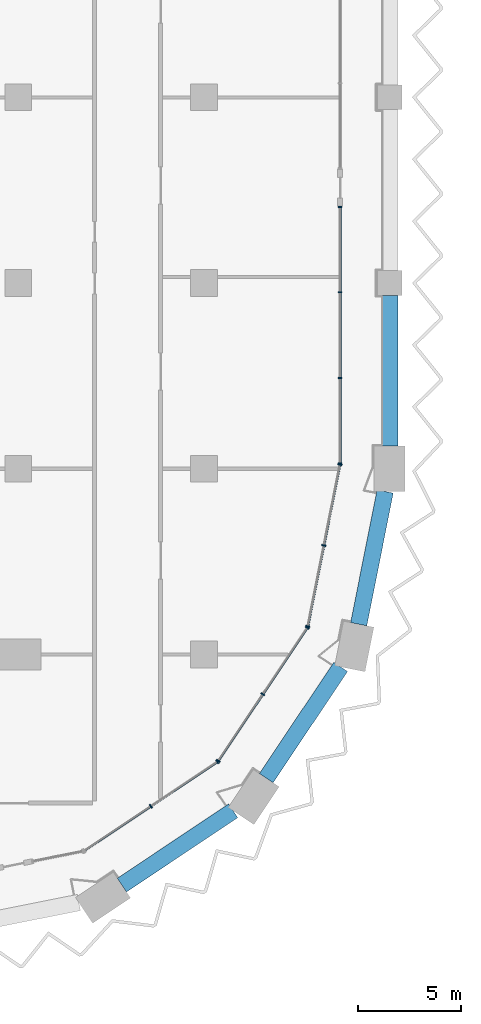
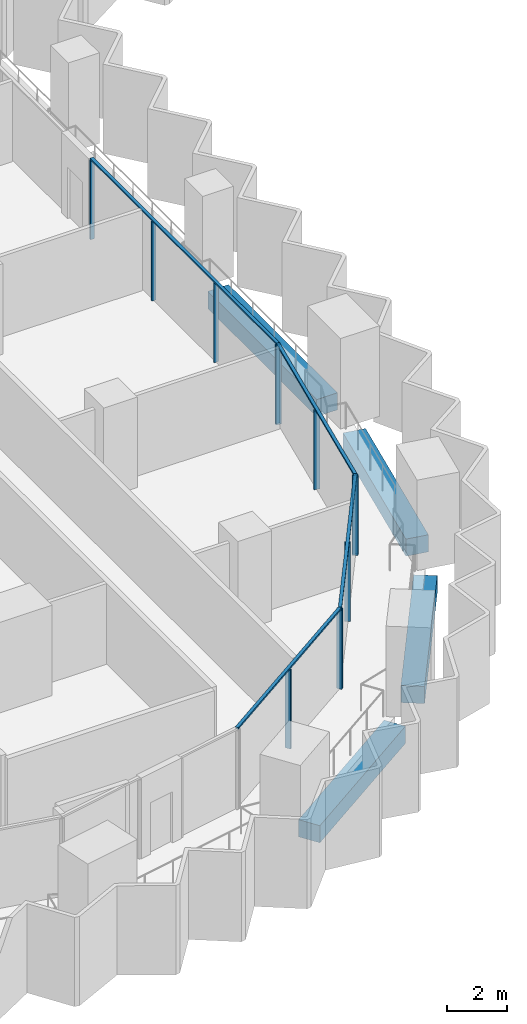
# One storey, part 3 of 22: 16 members, 4 beams, 4 elements without a shape of their own.
"""IFC4 building model written with IfcOpenShell, lengths in metres."""

import ifcopenshell
import ifcopenshell.guid

model = None  # the IFC model being written
_history = None  # IfcOwnerHistory: only IFC2X3 demands one
_inside = {}  # id of a spatial element -> (the spatial element, [elements in it])
_under = {}  # id of a project, library or spatial element -> (it, [spatial elements below it])
_declared = {}  # id of a project -> (the project, [libraries it declares])
_typed = {}  # id of a type object -> (the type object, [elements of that type])
_made_of = {}  # id of a material, layer set ... -> (it, [elements and type objects made of it])


def new_model(schema):
    """Start an empty IFC model of exactly this schema.

    Asked for "IFC4X3", IfcOpenShell would pick the latest addendum, in which some entities
    have other attributes; the version numbers below select the first issue.
    IFC2X3 requires an IfcOwnerHistory on every rooted entity: one is made here for all.
    """
    global model, _history
    if schema == "IFC4X3":
        model = ifcopenshell.file(schema_version=(4, 3, 0, 0))
    else:
        model = ifcopenshell.file(schema=schema)
    _inside.clear()
    _under.clear()
    _declared.clear()
    _typed.clear()
    _made_of.clear()
    _history = None
    if model.schema == "IFC2X3":
        org = make("IfcOrganization", Name="unknown")
        user = make(
            "IfcPersonAndOrganization",
            ThePerson=make("IfcPerson", FamilyName="unknown"),
            TheOrganization=org,
        )
        app = make(
            "IfcApplication",
            ApplicationDeveloper=org,
            Version="unknown",
            ApplicationFullName="unknown",
            ApplicationIdentifier="unknown",
        )
        _history = make(
            "IfcOwnerHistory",
            OwningUser=user,
            OwningApplication=app,
            ChangeAction="ADDED",
            CreationDate=0,
        )
    return model


def make(cls, **values):
    """One entity of the class cls with the attributes given. An attribute that is None is left unset."""
    return model.create_entity(
        cls, **{name: value for name, value in values.items() if value is not None}
    )


def rooted(cls, **values):
    """An entity with a GlobalId (a new one), such as an element, a storey or a relation."""
    return make(cls, GlobalId=ifcopenshell.guid.new(), OwnerHistory=_history, **values)


def si_unit(unit_type, name, prefix=None):
    """IfcSIUnit, for example si_unit("LENGTHUNIT", "METRE", prefix="MILLI")."""
    return make("IfcSIUnit", UnitType=unit_type, Prefix=prefix, Name=name)


def assignment(units):
    """IfcUnitAssignment: the units of a project."""
    return None if units is None else make("IfcUnitAssignment", Units=units)


def point(xyz):
    """IfcCartesianPoint."""
    return None if xyz is None else make("IfcCartesianPoint", Coordinates=xyz)


def direction(xyz):
    """IfcDirection."""
    return None if xyz is None else make("IfcDirection", DirectionRatios=xyz)


def frame(location, z_axis=None, x_axis=None):
    """IfcAxis2Placement3D, a coordinate frame: its origin and axes. An axis left out is left unset."""
    return make(
        "IfcAxis2Placement3D",
        Location=point(location),
        Axis=direction(z_axis),
        RefDirection=direction(x_axis),
    )


def frame_2d(location, x_axis=None):
    """IfcAxis2Placement2D, a coordinate frame in the plane: its origin and x axis."""
    return make(
        "IfcAxis2Placement2D", Location=point(location), RefDirection=direction(x_axis)
    )


def origin():
    """The frame at (0, 0, 0) with its axes left unset."""
    return frame((0.0, 0.0, 0.0))


def origin_2d():
    """The frame at (0, 0) in the plane with its x axis left unset."""
    return frame_2d((0.0, 0.0))


def place(relative_to, where):
    """IfcLocalPlacement: puts the frame where relative to a parent placement (None: the world)."""
    return make(
        "IfcLocalPlacement", PlacementRelTo=relative_to, RelativePlacement=where
    )


def context(
    kind, dimensions, precision=None, world=None, true_north=None, identifier=None
):
    """IfcGeometricRepresentationContext, for example the 3D "Model" context."""
    return make(
        "IfcGeometricRepresentationContext",
        ContextIdentifier=identifier,
        ContextType=kind,
        CoordinateSpaceDimension=dimensions,
        Precision=precision,
        WorldCoordinateSystem=world,
        TrueNorth=true_north,
    )


def subcontext(parent, identifier, kind, view, scale=None):
    """IfcGeometricRepresentationSubContext, for example "Body" below "Model"."""
    return make(
        "IfcGeometricRepresentationSubContext",
        ContextIdentifier=identifier,
        ContextType=kind,
        ParentContext=parent,
        TargetScale=scale,
        TargetView=view,
    )


def project(units=None, contexts=None):
    """IfcProject with its units and contexts."""
    return rooted(
        "IfcProject",
        Name="project",
        RepresentationContexts=contexts,
        UnitsInContext=assignment(units),
    )


def spatial(cls, under=None, at=None, **own):
    """A site, building, storey or space (cls), placed at a placement, below another one or the project."""
    s = rooted(cls, ObjectPlacement=at, **own)
    if under is not None:
        _under.setdefault(under.id(), (under, []))[1].append(s)
    return s


def profile(cls, at=None, kind="AREA", **sizes):
    """A parametric profile (cls). Its sizes go by their IFC names, for example OverallWidth=200.0."""
    return make(cls, ProfileType=kind, Position=at, **sizes)


def rectangle(**sizes):
    """IfcRectangleProfileDef."""
    return profile("IfcRectangleProfileDef", **sizes)


def extrude(swept, where, along, depth):
    """IfcExtrudedAreaSolid: the profile swept, set in the frame where, extruded along a direction by depth."""
    return make(
        "IfcExtrudedAreaSolid",
        SweptArea=swept,
        Position=where,
        ExtrudedDirection=direction(along),
        Depth=depth,
    )


def shape(context_of_items, identifier, shape_type, items):
    """IfcShapeRepresentation: the items that make up one representation, for example the "Body"."""
    return make(
        "IfcShapeRepresentation",
        ContextOfItems=context_of_items,
        RepresentationIdentifier=identifier,
        RepresentationType=shape_type,
        Items=items,
    )


def material(Name=None, Category=None):
    """IfcMaterial."""
    return make("IfcMaterial", Name=Name, Category=Category)


def material_profile(
    of_material, cross_section, Name=None, Category=None, Priority=None
):
    """IfcMaterialProfile: a cross section and its material."""
    return make(
        "IfcMaterialProfile",
        Name=Name,
        Material=of_material,
        Profile=cross_section,
        Priority=Priority,
        Category=Category,
    )


def profile_set(profiles, Name=None, composite=None):
    """IfcMaterialProfileSet."""
    return make(
        "IfcMaterialProfileSet",
        Name=Name,
        MaterialProfiles=profiles,
        CompositeProfile=composite,
    )


def made_of(thing, what):
    """Note that an element or type object is made of a material, layer set ...; save() writes the relation."""
    if what is not None:
        _made_of.setdefault(what.id(), (what, []))[1].append(thing)
    return thing


def type_object(cls, material=None, **own):
    """A type object (cls), such as IfcWallType, which elements share."""
    return made_of(rooted(cls, **own), material)


def element(
    cls,
    number,
    at=None,
    inside=None,
    cuts=None,
    type_object=None,
    material=None,
    context=None,
    identifier="Body",
    shape_type=None,
    held_by="IfcProductDefinitionShape",
    body=None,
    shapes=None,
    **own,
):
    """One element of the class cls, such as IfcWall. Its Tag is "e" and its number.

    at: its placement. inside: the storey or other place that contains it. cuts: it is an
    opening in that element (IfcRelVoidsElement). A single representation is given by context,
    identifier, shape_type and body (its items); several are given by shapes. held_by: the class
    of the entity that holds the representations. save() writes the other relations.
    """
    e = rooted(cls, Tag="e%d" % number, ObjectPlacement=at, **own)
    if body is not None:
        shapes = [shape(context, identifier, shape_type, body)]
    if shapes is not None:
        e.Representation = make(held_by, Representations=shapes)
    if inside is not None:
        _inside.setdefault(inside.id(), (inside, []))[1].append(e)
    if cuts is not None:
        rooted(
            "IfcRelVoidsElement", RelatingBuildingElement=cuts, RelatedOpeningElement=e
        )
    if type_object is not None:
        _typed.setdefault(type_object.id(), (type_object, []))[1].append(e)
    return made_of(e, material)


def aggregate(whole, parts):
    """IfcRelAggregates: a whole, such as a stair, and the parts it consists of."""
    return rooted("IfcRelAggregates", RelatingObject=whole, RelatedObjects=parts)


def save(model, path):
    """Write the relations noted so far, then the file.

    IfcRelAggregates (storeys below a building ...), IfcRelContainedInSpatialStructure (elements
    in a storey), IfcRelDefinesByType, IfcRelAssociatesMaterial and IfcRelDeclares: one each for
    every whole, place, type object, material and project.
    """
    for whole, parts in _under.values():
        aggregate(whole, parts)
    for where, things in _inside.values():
        rooted(
            "IfcRelContainedInSpatialStructure",
            RelatedElements=things,
            RelatingStructure=where,
        )
    for kind, things in _typed.values():
        rooted("IfcRelDefinesByType", RelatedObjects=things, RelatingType=kind)
    for what, things in _made_of.values():
        rooted("IfcRelAssociatesMaterial", RelatedObjects=things, RelatingMaterial=what)
    for by, libraries in _declared.values():
        rooted("IfcRelDeclares", RelatingContext=by, RelatedDefinitions=libraries)
    model.write(path)


model = new_model("IFC4")

# Units and contexts
model_context = context("Model", 3, precision=1e-05, world=origin(), true_north=direction((0.0, 1.0)))
body_context = subcontext(model_context, "Body", "Model", "MODEL_VIEW")
ifc_project = project(units=[si_unit("LENGTHUNIT", "METRE"), si_unit("AREAUNIT", "SQUARE_METRE"), si_unit("VOLUMEUNIT", "CUBIC_METRE"), si_unit("PLANEANGLEUNIT", "RADIAN"), si_unit("MASSUNIT", "GRAM", prefix="KILO")], contexts=[model_context])

# Site, building, storey
site_placement = place(None, origin())
site = spatial("IfcSite", under=ifc_project, at=site_placement, CompositionType="ELEMENT")
building_placement = place(site_placement, origin())
building = spatial("IfcBuilding", under=site, at=building_placement, Name="Hunhe Ridgeline Campus", CompositionType="ELEMENT")
storey_placement = place(building_placement, frame((0.0, 0.0, 88.5)))
storey = spatial("IfcBuildingStorey", under=building, at=storey_placement, Name="L21", CompositionType="ELEMENT", Elevation=88.5)

# Curtain wall, members
ifc_material_1 = material(Name="Aluminium 6063", Category="aluminium")
curtain_wall_type_1 = type_object("IfcCurtainWallType", Name="Curtain wall CW-1", PredefinedType="NOTDEFINED", material=ifc_material_1)
curtain_wall_1_placement = place(storey_placement, origin())
curtain_wall_1 = element("IfcCurtainWall", 1, at=curtain_wall_1_placement, inside=storey, type_object=curtain_wall_type_1, Name="Curtain wall 11", PredefinedType="NOTDEFINED")
ifc_material_profile_1 = material_profile(ifc_material_1, rectangle(XDim=0.159912109375, YDim=0.06005859375, at=origin_2d()))
ifc_profile_set_1 = profile_set([ifc_material_profile_1], Name="Aluminium 6063")
member_type_1 = type_object("IfcMemberType", Name="CW-1 aluminium mullion", PredefinedType="MULLION", material=ifc_profile_set_1)
member_1_placement = place(storey_placement, frame((42.59912109375, 27.266357421875, 0.0), z_axis=(0.0, 0.0, 1.0), x_axis=(-0.99999999994, 1.0975712e-05, 0.0)))
member_1 = element("IfcMember", 2, at=member_1_placement, type_object=member_type_1, Name="CW-1 mullion 1", PredefinedType="MULLION", context=body_context, shape_type="SweptSolid", body=[
    extrude(rectangle(XDim=0.159912109375, YDim=0.06005859375, at=origin_2d()), origin(), (0.0, 0.0, 1.0), 3.239990234375),
])
member_2_placement = place(storey_placement, frame((42.59912109375, 31.397216796875, 0.0), z_axis=(0.0, 0.0, 1.0), x_axis=(-0.99999999994, 1.0975712e-05, 0.0)))
member_2 = element("IfcMember", 3, at=member_2_placement, type_object=member_type_1, Name="CW-1 mullion 2", PredefinedType="MULLION", context=body_context, shape_type="SweptSolid", body=[
    extrude(rectangle(XDim=0.159912109375, YDim=0.06005859375, at=origin_2d()), origin(), (0.0, 0.0, 1.0), 3.239990234375),
])
member_3_placement = place(storey_placement, frame((42.59912109375, 35.557861328125, 0.0), z_axis=(0.0, 0.0, 1.0), x_axis=(-0.99999999994, 1.0975712e-05, 0.0)))
member_3 = element("IfcMember", 4, at=member_3_placement, type_object=member_type_1, Name="CW-1 mullion 3", PredefinedType="MULLION", context=body_context, shape_type="SweptSolid", body=[
    extrude(rectangle(XDim=0.159912109375, YDim=0.06005859375, at=origin_2d()), origin(), (0.0, 0.0, 1.0), 3.239990234375),
])
member_4_placement = place(storey_placement, frame((42.59912109375, 39.6884765625, 0.0), z_axis=(0.0, 0.0, 1.0), x_axis=(-0.99999999994, 1.0975712e-05, 0.0)))
member_4 = element("IfcMember", 5, at=member_4_placement, type_object=member_type_1, Name="CW-1 mullion 4", PredefinedType="MULLION", context=body_context, shape_type="SweptSolid", body=[
    extrude(rectangle(XDim=0.159912109375, YDim=0.06005859375, at=origin_2d()), origin(), (0.0, 0.0, 1.0), 3.239990234375),
])
ifc_material_profile_2 = material_profile(ifc_material_1, rectangle(XDim=0.1201171875, YDim=0.06005859375, at=origin_2d()))
ifc_profile_set_2 = profile_set([ifc_material_profile_2], Name="Aluminium 6063")
member_type_2 = type_object("IfcMemberType", Name="CW-1 aluminium transom", PredefinedType="USERDEFINED", material=ifc_profile_set_2)
member_5_placement = place(storey_placement, frame((42.59912109375, 27.236572265625, 3.27001953125), z_axis=(0.0, 1.0, 0.0), x_axis=(-1.0, 0.0, 0.0)))
member_5 = element("IfcMember", 6, at=member_5_placement, type_object=member_type_2, Name="CW-1 transom 1", ObjectType="TRANSOM", PredefinedType="USERDEFINED", context=body_context, shape_type="SweptSolid", body=[
    extrude(rectangle(XDim=0.1201171875, YDim=0.06005859375, at=origin_2d()), origin(), (0.0, 0.0, 1.0), 12.48193359375),
])
aggregate(curtain_wall_1, [member_5, member_1, member_2, member_3, member_4])

curtain_wall_type_2 = type_object("IfcCurtainWallType", Name="Curtain wall CW-5", PredefinedType="NOTDEFINED", material=ifc_material_1)
curtain_wall_2_placement = place(storey_placement, origin())
curtain_wall_2 = element("IfcCurtainWall", 7, at=curtain_wall_2_placement, inside=storey, type_object=curtain_wall_type_2, Name="Curtain wall 08", PredefinedType="NOTDEFINED")
ifc_material_profile_3 = material_profile(ifc_material_1, rectangle(XDim=0.199951171875, YDim=0.070068359375, at=origin_2d()))
ifc_profile_set_3 = profile_set([ifc_material_profile_3], Name="Aluminium 6063")
member_type_3 = type_object("IfcMemberType", Name="CW-5 aluminium mullion", PredefinedType="MULLION", material=ifc_profile_set_3)
member_6_placement = place(storey_placement, frame((33.42626953125, 10.647705078125, 0.0), z_axis=(0.0, 0.0, 1.0), x_axis=(-0.555570274596, 0.831469584522, 0.0)))
member_6 = element("IfcMember", 8, at=member_6_placement, type_object=member_type_3, Name="CW-5 mullion 2", PredefinedType="MULLION", context=body_context, shape_type="SweptSolid", body=[
    extrude(rectangle(XDim=0.199951171875, YDim=0.070068359375, at=origin_2d()), origin(), (0.0, 0.0, 1.0), 3.22998046875),
])
member_7_placement = place(storey_placement, frame((36.649658203125, 12.8017578125, 0.0), z_axis=(0.0, 0.0, 1.0), x_axis=(-0.555570274596, 0.831469584522, 0.0)))
member_7 = element("IfcMember", 9, at=member_7_placement, type_object=member_type_3, Name="CW-5 mullion 3", PredefinedType="MULLION", context=body_context, shape_type="SweptSolid", body=[
    extrude(rectangle(XDim=0.199951171875, YDim=0.070068359375, at=origin_2d()), origin(), (0.0, 0.0, 1.0), 3.22998046875),
])

curtain_wall_3_placement = place(storey_placement, origin())
curtain_wall_3 = element("IfcCurtainWall", 10, at=curtain_wall_3_placement, inside=storey, type_object=curtain_wall_type_2, Name="Curtain wall 09", PredefinedType="NOTDEFINED")
member_8_placement = place(storey_placement, frame((36.6982421875, 12.850341796875, 0.0), z_axis=(0.0, 0.0, 1.0), x_axis=(-0.831469584522, 0.555570274596, 0.0)))
member_8 = element("IfcMember", 11, at=member_8_placement, type_object=member_type_3, Name="CW-5 mullion 1", PredefinedType="MULLION", context=body_context, shape_type="SweptSolid", body=[
    extrude(rectangle(XDim=0.199951171875, YDim=0.070068359375, at=origin_2d()), origin(), (0.0, 0.0, 1.0), 3.22998046875),
])
member_9_placement = place(storey_placement, frame((38.852294921875, 16.07373046875, 0.0), z_axis=(0.0, 0.0, 1.0), x_axis=(-0.831469584522, 0.555570274596, 0.0)))
member_9 = element("IfcMember", 12, at=member_9_placement, type_object=member_type_3, Name="CW-5 mullion 2", PredefinedType="MULLION", context=body_context, shape_type="SweptSolid", body=[
    extrude(rectangle(XDim=0.199951171875, YDim=0.070068359375, at=origin_2d()), origin(), (0.0, 0.0, 1.0), 3.22998046875),
])
member_10_placement = place(storey_placement, frame((41.006103515625, 19.29736328125, 0.0), z_axis=(0.0, 0.0, 1.0), x_axis=(-0.831469584522, 0.555570274596, 0.0)))
member_10 = element("IfcMember", 13, at=member_10_placement, type_object=member_type_3, Name="CW-5 mullion 3", PredefinedType="MULLION", context=body_context, shape_type="SweptSolid", body=[
    extrude(rectangle(XDim=0.199951171875, YDim=0.070068359375, at=origin_2d()), origin(), (0.0, 0.0, 1.0), 3.22998046875),
])

curtain_wall_4_placement = place(storey_placement, origin())
curtain_wall_4 = element("IfcCurtainWall", 14, at=curtain_wall_4_placement, inside=storey, type_object=curtain_wall_type_2, Name="Curtain wall 10", PredefinedType="NOTDEFINED")
member_11_placement = place(storey_placement, frame((41.032470703125, 19.36083984375, 0.0), z_axis=(0.0, 0.0, 1.0), x_axis=(-0.980785284939, 0.195090299215, 0.0)))
member_11 = element("IfcMember", 15, at=member_11_placement, type_object=member_type_3, Name="CW-5 mullion 1", PredefinedType="MULLION", context=body_context, shape_type="SweptSolid", body=[
    extrude(rectangle(XDim=0.199951171875, YDim=0.070068359375, at=origin_2d()), origin(), (0.0, 0.0, 1.0), 3.22998046875),
])
member_12_placement = place(storey_placement, frame((41.812255859375, 23.281494140625, 0.0), z_axis=(0.0, 0.0, 1.0), x_axis=(-0.980785284939, 0.195090299215, 0.0)))
member_12 = element("IfcMember", 16, at=member_12_placement, type_object=member_type_3, Name="CW-5 mullion 2", PredefinedType="MULLION", context=body_context, shape_type="SweptSolid", body=[
    extrude(rectangle(XDim=0.199951171875, YDim=0.070068359375, at=origin_2d()), origin(), (0.0, 0.0, 1.0), 3.22998046875),
])
member_13_placement = place(storey_placement, frame((42.59228515625, 27.2021484375, 0.0), z_axis=(0.0, 0.0, 1.0), x_axis=(-0.980785284939, 0.195090299215, 0.0)))
member_13 = element("IfcMember", 17, at=member_13_placement, type_object=member_type_3, Name="CW-5 mullion 3", PredefinedType="MULLION", context=body_context, shape_type="SweptSolid", body=[
    extrude(rectangle(XDim=0.199951171875, YDim=0.070068359375, at=origin_2d()), origin(), (0.0, 0.0, 1.0), 3.22998046875),
])

# Member
ifc_material_profile_4 = material_profile(ifc_material_1, rectangle(XDim=0.1201171875, YDim=0.070068359375, at=origin_2d()))
ifc_profile_set_4 = profile_set([ifc_material_profile_4], Name="Aluminium 6063")
member_type_4 = type_object("IfcMemberType", Name="CW-5 aluminium transom", PredefinedType="USERDEFINED", material=ifc_profile_set_4)
member_14_placement = place(storey_placement, frame((30.173583984375, 8.474365234375, 3.264892578125), z_axis=(0.831473763475, 0.5555640203, 0.0), x_axis=(-0.5555640203, 0.831473763475, 0.0)))
member_14 = element("IfcMember", 18, at=member_14_placement, type_object=member_type_4, Name="CW-5 transom 1", ObjectType="TRANSOM", PredefinedType="USERDEFINED", context=body_context, shape_type="SweptSolid", body=[
    extrude(rectangle(XDim=0.1201171875, YDim=0.070068359375, at=origin_2d()), origin(), (0.0, 0.0, 1.0), 7.823974609375),
])

aggregate(curtain_wall_2, [member_14, member_6, member_7])

member_15_placement = place(storey_placement, frame((36.678955078125, 12.821044921875, 3.264892578125), z_axis=(0.5555640203, 0.831473763475, 0.0), x_axis=(-0.831473763475, 0.5555640203, 0.0)))
member_15 = element("IfcMember", 19, at=member_15_placement, type_object=member_type_4, Name="CW-5 transom 1", ObjectType="TRANSOM", PredefinedType="USERDEFINED", context=body_context, shape_type="SweptSolid", body=[
    extrude(rectangle(XDim=0.1201171875, YDim=0.070068359375, at=origin_2d()), origin(), (0.0, 0.0, 1.0), 7.823974609375),
])

aggregate(curtain_wall_3, [member_15, member_8, member_9, member_10])

member_16_placement = place(storey_placement, frame((41.025634765625, 19.326416015625, 3.264892578125), z_axis=(0.195097290093, 0.980783894341, 0.0), x_axis=(-0.980783894341, 0.195097290093, 0.0)))
member_16 = element("IfcMember", 20, at=member_16_placement, type_object=member_type_4, Name="CW-5 transom 1", ObjectType="TRANSOM", PredefinedType="USERDEFINED", context=body_context, shape_type="SweptSolid", body=[
    extrude(rectangle(XDim=0.1201171875, YDim=0.070068359375, at=origin_2d()), origin(), (0.0, 0.0, 1.0), 8.065185546875),
])

aggregate(curtain_wall_4, [member_16, member_11, member_12, member_13])

# Beams
ifc_material_2 = material(Name="Concrete C60", Category="concrete")
ifc_material_profile_5 = material_profile(ifc_material_2, rectangle(XDim=0.800048828125, YDim=0.699951171875, at=origin_2d()))
ifc_profile_set_5 = profile_set([ifc_material_profile_5], Name="Concrete C60")
beam_type = type_object("IfcBeamType", Name="RC spandrel beam 800x700 Concrete C60", PredefinedType="SPANDREL", material=ifc_profile_set_5)
for number, where, z_axis, x_axis, name in (
    (21, (32.02490234375, 6.82373046875, -0.60009765625), (0.831459384183, 0.555585540178, 0.0), (-0.555585540178, 0.831459384183, 0.0), "Spandrel beam B1-6 L21"),
    (22, (39.02099609375, 12.004638671875, -0.60009765625), (0.555559527577, 0.831476765351, 0.0), (-0.831476765351, 0.555559527577, 0.0), "Spandrel beam B1-7 L21"),
):
    element("IfcBeam", number, at=place(storey_placement, frame(where, z_axis=z_axis, x_axis=x_axis)), inside=storey, type_object=beam_type, Name=name, PredefinedType="SPANDREL", context=body_context, shape_type="SweptSolid", body=[
        extrude(rectangle(XDim=0.800048828125, YDim=0.699951171875, at=origin_2d()), origin(), (0.0, 0.0, 1.0), 6.488525390625),
    ])
beam_1_placement = place(storey_placement, frame((43.501953125, 19.468505859375, -0.60009765625), z_axis=(0.195092166671, 0.980784913477, 0.0), x_axis=(-0.980784913477, 0.195092166671, 0.0)))
element("IfcBeam", 23, at=beam_1_placement, inside=storey, type_object=beam_type, Name="Spandrel beam B1-8 L21", PredefinedType="SPANDREL", context=body_context, shape_type="SweptSolid", body=[
    extrude(rectangle(XDim=0.800048828125, YDim=0.699951171875, at=origin_2d()), origin(), (0.0, 0.0, 1.0), 6.557373046875),
])
beam_2_placement = place(storey_placement, frame((45.0, 28.10009765625, -0.60009765625), z_axis=(0.0, 1.0, 0.0), x_axis=(-1.0, 0.0, 0.0)))
element("IfcBeam", 24, at=beam_2_placement, inside=storey, type_object=beam_type, Name="Spandrel beam B1-9 L21", PredefinedType="SPANDREL", context=body_context, shape_type="SweptSolid", body=[
    extrude(rectangle(XDim=0.800048828125, YDim=0.699951171875, at=origin_2d()), origin(), (0.0, 0.0, 1.0), 7.2998046875),
])

save(model, "model.ifc")
